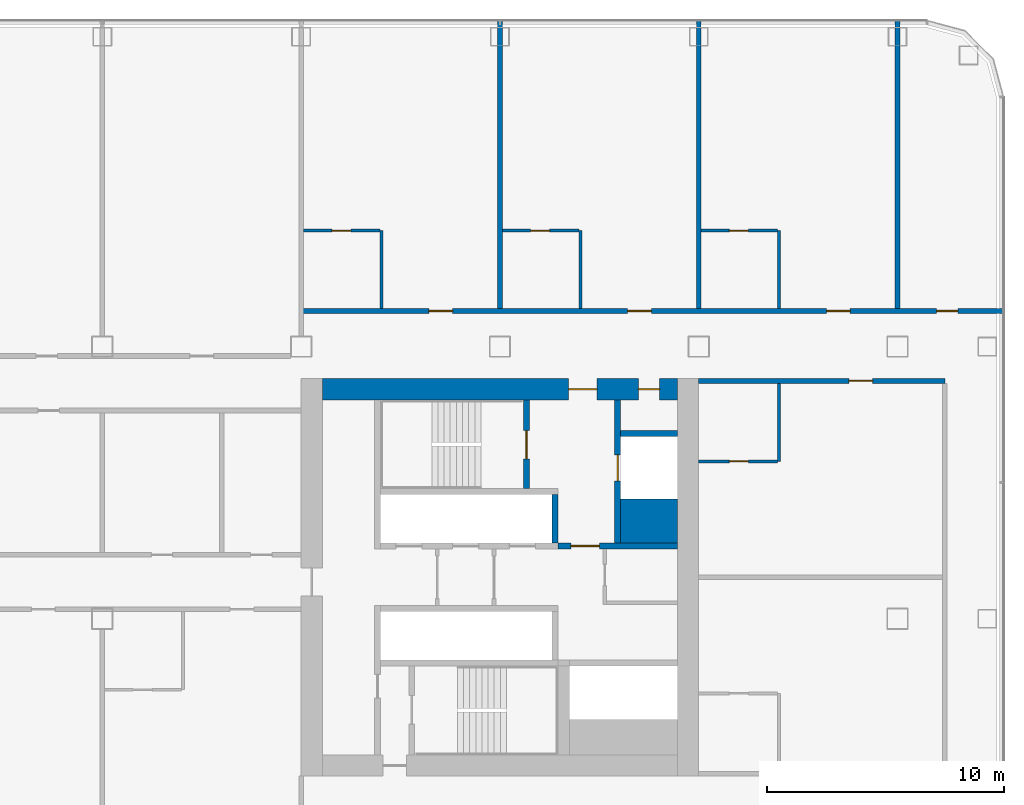
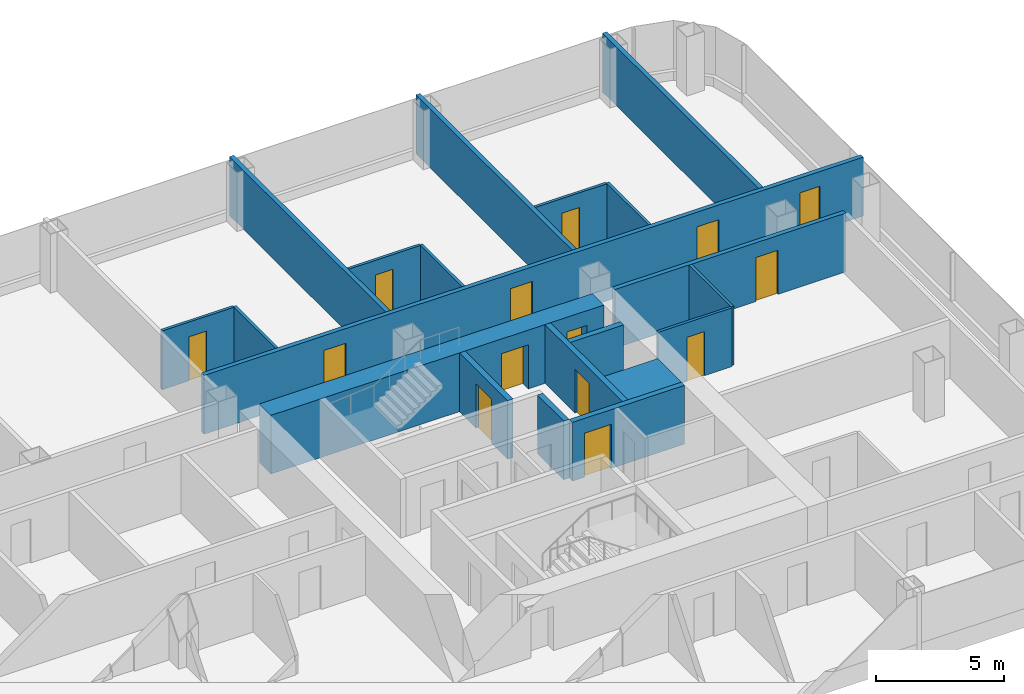
# One storey, part 20 of 29: 20 walls, 14 doors, 14 openings.
"""IFC4 building model written with IfcOpenShell, lengths in metres."""

from ifc_helpers import new_model, si_unit, direction, frame, frame_2d, origin, place, context, subcontext, project, spatial, rectangle, extrude, material, layer, layer_set, type_object, element, fill, save


model = new_model("IFC4")

# Units and contexts
model_context = context("Model", 3, precision=1e-05, world=origin(), true_north=direction((0.0, 1.0)))
body_context = subcontext(model_context, "Body", "Model", "MODEL_VIEW")
ifc_project = project(units=[si_unit("LENGTHUNIT", "METRE"), si_unit("AREAUNIT", "SQUARE_METRE"), si_unit("VOLUMEUNIT", "CUBIC_METRE"), si_unit("PLANEANGLEUNIT", "RADIAN"), si_unit("MASSUNIT", "GRAM", prefix="KILO")], contexts=[model_context])

# Site, building, storey
site_placement = place(None, origin())
site = spatial("IfcSite", under=ifc_project, at=site_placement, CompositionType="ELEMENT")
building_placement = place(site_placement, origin())
building = spatial("IfcBuilding", under=site, at=building_placement, Name="Hakoniwa Tower and Hamabe Station Hall", CompositionType="ELEMENT")
storey_placement = place(building_placement, frame((0.0, 0.0, 75.39990234375)))
storey = spatial("IfcBuildingStorey", under=building, at=storey_placement, Name="L20", CompositionType="ELEMENT", Elevation=75.39990234375)

# Wall, opening, door
ifc_material_1 = material(Name="Gypsum board partition", Category="gypsum")
ifc_layer_1 = layer(ifc_material_1, 0.125)
ifc_layer_set_1 = layer_set([ifc_layer_1], Name="Bathroom Partition 125")
wall_type_1 = type_object("IfcWallType", Name="Bathroom Partition 125", PredefinedType="PARTITIONING", material=ifc_layer_set_1)
wall_1_placement = place(storey_placement, frame((33.60009765625, 4.89990234375, 0.0), z_axis=(0.0, 0.0, 1.0), x_axis=(1.0, 0.0, 0.0)))
wall_1 = element("IfcWall", 1, at=wall_1_placement, inside=storey, type_object=wall_type_1, Name="GW-L20-015", PredefinedType="PARTITIONING", context=body_context, shape_type="SweptSolid", body=[
    extrude(rectangle(XDim=3.33740234375, YDim=0.125, at=frame_2d((1.668701171875, 0.0))), origin(), (0.0, 0.0, 1.0), 2.800048828125),
])
opening_1_placement = place(wall_1_placement, frame((1.300048828125, 0.0, 0.0)))
opening_1 = element("IfcOpeningElement", 2, at=opening_1_placement, cuts=wall_1, Name="Opening GD-G2A0-30", PredefinedType="OPENING", context=body_context, shape_type="SweptSolid", body=[
    extrude(rectangle(XDim=0.800048828125, YDim=2.10009765625, at=frame_2d((0.39990234375, 1.050048828125))), frame((0.0, 0.072509765625, 0.0), z_axis=(0.0, -1.0, 0.0), x_axis=(1.0, 0.0, 0.0)), (0.0, 0.0, 1.0), 0.14501953125),
])
ifc_material_2 = material(Name="Timber door leaf", Category="wood")
door_type_1 = type_object("IfcDoorType", Name="Bathroom Door 800", OperationType="SINGLE_SWING_LEFT", PredefinedType="DOOR", material=ifc_material_2)
door_1_placement = place(opening_1_placement, origin())
door_1 = element("IfcDoor", 3, at=door_1_placement, inside=storey, type_object=door_type_1, Name="Door GD-G2A0-30", OperationType="SINGLE_SWING_LEFT", OverallHeight=2.10009765625, OverallWidth=0.800048828125, PredefinedType="DOOR", context=body_context, shape_type="SweptSolid", body=[
    extrude(rectangle(XDim=0.800048828125, YDim=2.10009765625, at=frame_2d((0.39990234375, 1.050048828125))), frame((0.0, 0.02490234375, 0.0), z_axis=(0.0, -1.0, 0.0), x_axis=(1.0, 0.0, 0.0)), (0.0, 0.0, 1.0), 0.050048828125),
])
fill(opening_1, door_1)

wall_2_placement = place(storey_placement, frame((16.89990234375, 14.64990234375, 0.0), z_axis=(0.0, 0.0, 1.0), x_axis=(1.0, 0.0, 0.0)))
wall_2 = element("IfcWall", 4, at=wall_2_placement, inside=storey, type_object=wall_type_1, Name="GW-L20-024", PredefinedType="PARTITIONING", context=body_context, shape_type="SweptSolid", body=[
    extrude(rectangle(XDim=3.237548828125, YDim=0.125, at=frame_2d((1.61865234375, 0.0))), origin(), (0.0, 0.0, 1.0), 2.800048828125),
])
opening_2_placement = place(wall_2_placement, frame((1.199951171875, 0.0, 0.0)))
opening_2 = element("IfcOpeningElement", 5, at=opening_2_placement, cuts=wall_2, Name="Opening GD-G2A0-55", PredefinedType="OPENING", context=body_context, shape_type="SweptSolid", body=[
    extrude(rectangle(XDim=0.800048828125, YDim=2.10009765625, at=frame_2d((0.39990234375, 1.050048828125))), frame((0.0, 0.072509765625, 0.0), z_axis=(0.0, -1.0, 0.0), x_axis=(1.0, 0.0, 0.0)), (0.0, 0.0, 1.0), 0.14501953125),
])
door_2_placement = place(opening_2_placement, origin())
door_2 = element("IfcDoor", 6, at=door_2_placement, inside=storey, type_object=door_type_1, Name="Door GD-G2A0-55", OperationType="SINGLE_SWING_RIGHT", OverallHeight=2.10009765625, OverallWidth=0.800048828125, PredefinedType="DOOR", context=body_context, shape_type="SweptSolid", body=[
    extrude(rectangle(XDim=0.800048828125, YDim=2.10009765625, at=frame_2d((0.39990234375, 1.050048828125))), frame((0.0, 0.02490234375, 0.0), z_axis=(0.0, -1.0, 0.0), x_axis=(1.0, 0.0, 0.0)), (0.0, 0.0, 1.0), 0.050048828125),
])
fill(opening_2, door_2)

wall_3_placement = place(storey_placement, frame((25.300048828125, 14.64990234375, 0.0), z_axis=(0.0, 0.0, 1.0), x_axis=(1.0, 0.0, 0.0)))
wall_3 = element("IfcWall", 7, at=wall_3_placement, inside=storey, type_object=wall_type_1, Name="GW-L20-025", PredefinedType="PARTITIONING", context=body_context, shape_type="SweptSolid", body=[
    extrude(rectangle(XDim=3.237548828125, YDim=0.125, at=frame_2d((1.61865234375, 0.0))), origin(), (0.0, 0.0, 1.0), 2.800048828125),
])
opening_3_placement = place(wall_3_placement, frame((1.199951171875, 0.0, 0.0)))
opening_3 = element("IfcOpeningElement", 8, at=opening_3_placement, cuts=wall_3, Name="Opening GD-G2A0-56", PredefinedType="OPENING", context=body_context, shape_type="SweptSolid", body=[
    extrude(rectangle(XDim=0.800048828125, YDim=2.10009765625, at=frame_2d((0.39990234375, 1.050048828125))), frame((0.0, 0.072509765625, 0.0), z_axis=(0.0, -1.0, 0.0), x_axis=(1.0, 0.0, 0.0)), (0.0, 0.0, 1.0), 0.14501953125),
])
door_3_placement = place(opening_3_placement, origin())
door_3 = element("IfcDoor", 9, at=door_3_placement, inside=storey, type_object=door_type_1, Name="Door GD-G2A0-56", OperationType="SINGLE_SWING_LEFT", OverallHeight=2.10009765625, OverallWidth=0.800048828125, PredefinedType="DOOR", context=body_context, shape_type="SweptSolid", body=[
    extrude(rectangle(XDim=0.800048828125, YDim=2.10009765625, at=frame_2d((0.39990234375, 1.050048828125))), frame((0.0, 0.02490234375, 0.0), z_axis=(0.0, -1.0, 0.0), x_axis=(1.0, 0.0, 0.0)), (0.0, 0.0, 1.0), 0.050048828125),
])
fill(opening_3, door_3)

wall_4_placement = place(storey_placement, frame((33.699951171875, 14.64990234375, 0.0), z_axis=(0.0, 0.0, 1.0), x_axis=(1.0, 0.0, 0.0)))
wall_4 = element("IfcWall", 10, at=wall_4_placement, inside=storey, type_object=wall_type_1, Name="GW-L20-026", PredefinedType="PARTITIONING", context=body_context, shape_type="SweptSolid", body=[
    extrude(rectangle(XDim=3.237548828125, YDim=0.125, at=frame_2d((1.61865234375, 0.0))), origin(), (0.0, 0.0, 1.0), 2.800048828125),
])
opening_4_placement = place(wall_4_placement, frame((1.199951171875, 0.0, 0.0)))
opening_4 = element("IfcOpeningElement", 11, at=opening_4_placement, cuts=wall_4, Name="Opening GD-G2A0-57", PredefinedType="OPENING", context=body_context, shape_type="SweptSolid", body=[
    extrude(rectangle(XDim=0.800048828125, YDim=2.10009765625, at=frame_2d((0.39990234375, 1.050048828125))), frame((0.0, 0.072509765625, 0.0), z_axis=(0.0, -1.0, 0.0), x_axis=(1.0, 0.0, 0.0)), (0.0, 0.0, 1.0), 0.14501953125),
])
door_4_placement = place(opening_4_placement, origin())
door_4 = element("IfcDoor", 12, at=door_4_placement, inside=storey, type_object=door_type_1, Name="Door GD-G2A0-57", OperationType="SINGLE_SWING_RIGHT", OverallHeight=2.10009765625, OverallWidth=0.800048828125, PredefinedType="DOOR", context=body_context, shape_type="SweptSolid", body=[
    extrude(rectangle(XDim=0.800048828125, YDim=2.10009765625, at=frame_2d((0.39990234375, 1.050048828125))), frame((0.0, 0.02490234375, 0.0), z_axis=(0.0, -1.0, 0.0), x_axis=(1.0, 0.0, 0.0)), (0.0, 0.0, 1.0), 0.050048828125),
])
fill(opening_4, door_4)

# Walls
for number, where, z_axis, x_axis, name in (
    (13, (20.199951171875, 11.35009765625, 0.0), (0.0, 0.0, 1.0), (0.0, 1.0, 0.0), "GW-L20-066"),
    (14, (28.60009765625, 11.35009765625, 0.0), (0.0, 0.0, 1.0), (0.0, 1.0, 0.0), "GW-L20-070"),
):
    element("IfcWall", number, at=place(storey_placement, frame(where, z_axis=z_axis, x_axis=x_axis)), inside=storey, type_object=wall_type_1, Name=name, PredefinedType="PARTITIONING", context=body_context, shape_type="SweptSolid", body=[
        extrude(rectangle(XDim=3.2998046875, YDim=0.125, at=frame_2d((1.64990234375, 0.0))), origin(), (0.0, 0.0, 1.0), 2.800048828125),
    ])
wall_5_placement = place(storey_placement, frame((37.0, 4.89990234375, 0.0), z_axis=(0.0, 0.0, 1.0), x_axis=(0.0, 1.0, 0.0)))
element("IfcWall", 15, at=wall_5_placement, inside=storey, type_object=wall_type_1, Name="GW-L20-074", PredefinedType="PARTITIONING", context=body_context, shape_type="SweptSolid", body=[
    extrude(rectangle(XDim=3.300048828125, YDim=0.125, at=frame_2d((1.64990234375, 0.0))), origin(), (0.0, 0.0, 1.0), 2.800048828125),
])
wall_6_placement = place(storey_placement, frame((37.0, 11.35009765625, 0.0), z_axis=(0.0, 0.0, 1.0), x_axis=(0.0, 1.0, 0.0)))
element("IfcWall", 16, at=wall_6_placement, inside=storey, type_object=wall_type_1, Name="GW-L20-075", PredefinedType="PARTITIONING", context=body_context, shape_type="SweptSolid", body=[
    extrude(rectangle(XDim=3.2998046875, YDim=0.125, at=frame_2d((1.64990234375, 0.0))), origin(), (0.0, 0.0, 1.0), 2.800048828125),
])

# Wall, openings, doors
ifc_material_3 = material(Name="Concrete C72", Category="concrete")
ifc_layer_2 = layer(ifc_material_3, 0.89990234375)
ifc_layer_set_2 = layer_set([ifc_layer_2], Name="CORE WALL 900 C72")
wall_type_2 = type_object("IfcWallType", Name="CORE WALL 900 C72", PredefinedType="SHEAR", material=ifc_layer_set_2)
wall_7_placement = place(storey_placement, frame((17.699951171875, 7.949951171875, 0.0), z_axis=(0.0, 0.0, 1.0), x_axis=(1.0, 0.0, 0.0)))
wall_7 = element("IfcWall", 17, at=wall_7_placement, inside=storey, type_object=wall_type_2, Name="Core wall NORTH east", PredefinedType="SHEAR", context=body_context, shape_type="SweptSolid", body=[
    extrude(rectangle(XDim=15.0, YDim=0.89990234375, at=frame_2d((7.5, 0.0))), origin(), (0.0, 0.0, 1.0), 2.800048828125),
])
opening_5_placement = place(wall_7_placement, frame((10.39990234375, 0.0, 0.0)))
opening_5 = element("IfcOpeningElement", 18, at=opening_5_placement, cuts=wall_7, Name="Opening CD-E-FN1-12", PredefinedType="OPENING", context=body_context, shape_type="SweptSolid", body=[
    extrude(rectangle(XDim=1.199951171875, YDim=2.10009765625, at=frame_2d((0.60009765625, 1.050048828125))), frame((0.0, 0.4599609375, 0.0), z_axis=(0.0, -1.0, 0.0), x_axis=(1.0, 0.0, 0.0)), (0.0, 0.0, 1.0), 0.919921875),
])
opening_6_placement = place(wall_7_placement, frame((13.35009765625, 0.0, 0.0)))
opening_6 = element("IfcOpeningElement", 19, at=opening_6_placement, cuts=wall_7, Name="Opening CD-E-FN2-9", PredefinedType="OPENING", context=body_context, shape_type="SweptSolid", body=[
    extrude(rectangle(XDim=0.89990234375, YDim=2.10009765625, at=frame_2d((0.449951171875, 1.050048828125))), frame((0.0, 0.4599609375, 0.0), z_axis=(0.0, -1.0, 0.0), x_axis=(1.0, 0.0, 0.0)), (0.0, 0.0, 1.0), 0.919921875),
])
ifc_material_4 = material(Name="Steel fire door", Category="steel")
door_type_2 = type_object("IfcDoorType", Name="CORE DOOR 1200 FD60", OperationType="DOUBLE_DOOR_SINGLE_SWING", PredefinedType="DOOR", material=ifc_material_4)
door_5_placement = place(opening_5_placement, origin())
door_5 = element("IfcDoor", 20, at=door_5_placement, inside=storey, type_object=door_type_2, Name="Stair vestibule door to the fire-fighting lobby", OperationType="DOUBLE_DOOR_SINGLE_SWING", OverallHeight=2.10009765625, OverallWidth=1.199951171875, PredefinedType="DOOR", context=body_context, shape_type="SweptSolid", body=[
    extrude(rectangle(XDim=1.199951171875, YDim=2.10009765625, at=frame_2d((0.60009765625, 1.050048828125))), frame((0.0, 0.02490234375, 0.0), z_axis=(0.0, -1.0, 0.0), x_axis=(1.0, 0.0, 0.0)), (0.0, 0.0, 1.0), 0.050048828125),
])
fill(opening_5, door_5)
ifc_material_5 = material(Name="Steel fire door", Category="steel")
door_type_3 = type_object("IfcDoorType", Name="CORE DOOR 900 FD30", OperationType="NOTDEFINED", PredefinedType="DOOR", material=ifc_material_5)
door_6_placement = place(opening_6_placement, origin())
door_6 = element("IfcDoor", 21, at=door_6_placement, inside=storey, type_object=door_type_3, Name="Riser access door", OperationType="SINGLE_SWING_LEFT", OverallHeight=2.10009765625, OverallWidth=0.89990234375, PredefinedType="DOOR", context=body_context, shape_type="SweptSolid", body=[
    extrude(rectangle(XDim=0.89990234375, YDim=2.10009765625, at=frame_2d((0.449951171875, 1.050048828125))), frame((0.0, 0.02490234375, 0.0), z_axis=(0.0, -1.0, 0.0), x_axis=(1.0, 0.0, 0.0)), (0.0, 0.0, 1.0), 0.050048828125),
])
fill(opening_6, door_6)

# Walls
ifc_material_6 = material(Name="Concrete C72", Category="concrete")
ifc_layer_3 = layer(ifc_material_6, 1.85009765625)
ifc_layer_set_3 = layer_set([ifc_layer_3], Name="CORE WEB WALL 1850 C72")
wall_type_3 = type_object("IfcWallType", Name="CORE WEB WALL 1850 C72", PredefinedType="SHEAR", material=ifc_layer_set_3)
wall_8_placement = place(storey_placement, frame((30.300048828125, 2.375, 0.0), z_axis=(0.0, 0.0, 1.0), x_axis=(1.0, 0.0, 0.0)))
element("IfcWall", 22, at=wall_8_placement, inside=storey, type_object=wall_type_3, Name="Core wall CA east", PredefinedType="SHEAR", context=body_context, shape_type="SweptSolid", body=[
    extrude(rectangle(XDim=2.39990234375, YDim=1.85009765625, at=frame_2d((1.199951171875, 0.0))), origin(), (0.0, 0.0, 1.0), 2.800048828125),
])
ifc_material_7 = material(Name="Concrete C72", Category="concrete")
ifc_layer_4 = layer(ifc_material_7, 0.25)
ifc_layer_set_4 = layer_set([ifc_layer_4], Name="CORE WEB WALL 250 C72")
wall_type_4 = type_object("IfcWallType", Name="CORE WEB WALL 250 C72", PredefinedType="SHEAR", material=ifc_layer_set_4)
wall_9_placement = place(storey_placement, frame((27.52490234375, 1.449951171875, 0.0), z_axis=(0.0, 0.0, 1.0), x_axis=(0.0, 1.0, 0.0)))
element("IfcWall", 23, at=wall_9_placement, inside=storey, type_object=wall_type_4, Name="Core wall NE east", PredefinedType="SHEAR", context=body_context, shape_type="SweptSolid", body=[
    extrude(rectangle(XDim=2.050048828125, YDim=0.25, at=frame_2d((1.02490234375, 0.0))), origin(), (0.0, 0.0, 1.0), 2.800048828125),
])

# Wall, opening, door
wall_10_placement = place(storey_placement, frame((26.324951171875, 3.75, 0.0), z_axis=(0.0, 0.0, 1.0), x_axis=(0.0, 1.0, 0.0)))
wall_10 = element("IfcWall", 24, at=wall_10_placement, inside=storey, type_object=wall_type_4, Name="Core wall NSE east", PredefinedType="SHEAR", context=body_context, shape_type="SweptSolid", body=[
    extrude(rectangle(XDim=3.75, YDim=0.25, at=frame_2d((1.875, 0.0))), origin(), (0.0, 0.0, 1.0), 2.800048828125),
])
opening_7_placement = place(wall_10_placement, frame((1.25, 0.0, 0.0)))
opening_7 = element("IfcOpeningElement", 25, at=opening_7_placement, cuts=wall_10, Name="Opening CD-E-SN-12", PredefinedType="OPENING", context=body_context, shape_type="SweptSolid", body=[
    extrude(rectangle(XDim=1.199951171875, YDim=2.10009765625, at=frame_2d((0.60009765625, 1.050048828125))), frame((0.0, 0.135009765625, 0.0), z_axis=(0.0, -1.0, 0.0), x_axis=(1.0, 0.0, 0.0)), (0.0, 0.0, 1.0), 0.27001953125),
])
door_7_placement = place(opening_7_placement, origin())
door_7 = element("IfcDoor", 26, at=door_7_placement, inside=storey, type_object=door_type_2, Name="Escape stair door", OperationType="DOUBLE_DOOR_SINGLE_SWING", OverallHeight=2.10009765625, OverallWidth=1.199951171875, PredefinedType="DOOR", context=body_context, shape_type="SweptSolid", body=[
    extrude(rectangle(XDim=1.199951171875, YDim=2.10009765625, at=frame_2d((0.60009765625, 1.050048828125))), frame((0.0, 0.02490234375, 0.0), z_axis=(0.0, -1.0, 0.0), x_axis=(1.0, 0.0, 0.0)), (0.0, 0.0, 1.0), 0.050048828125),
])
fill(opening_7, door_7)

wall_11_placement = place(storey_placement, frame((27.64990234375, 1.324951171875, 0.0), z_axis=(0.0, 0.0, 1.0), x_axis=(1.0, 0.0, 0.0)))
wall_11 = element("IfcWall", 27, at=wall_11_placement, inside=storey, type_object=wall_type_4, Name="Core wall ELN east", PredefinedType="SHEAR", context=body_context, shape_type="SweptSolid", body=[
    extrude(rectangle(XDim=5.050048828125, YDim=0.25, at=frame_2d((2.52490234375, 0.0))), origin(), (0.0, 0.0, 1.0), 2.800048828125),
])
opening_8_placement = place(wall_11_placement, frame((0.550048828125, 0.0, 0.0)))
opening_8 = element("IfcOpeningElement", 28, at=opening_8_placement, cuts=wall_11, Name="Opening CD-E-FL-12", PredefinedType="OPENING", context=body_context, shape_type="SweptSolid", body=[
    extrude(rectangle(XDim=1.199951171875, YDim=2.10009765625, at=frame_2d((0.60009765625, 1.050048828125))), frame((0.0, 0.135009765625, 0.0), z_axis=(0.0, -1.0, 0.0), x_axis=(1.0, 0.0, 0.0)), (0.0, 0.0, 1.0), 0.27001953125),
])
door_8_placement = place(opening_8_placement, origin())
door_8 = element("IfcDoor", 29, at=door_8_placement, inside=storey, type_object=door_type_2, Name="Stair vestibule door to the fire-fighting lobby", OperationType="DOUBLE_DOOR_SINGLE_SWING", OverallHeight=2.10009765625, OverallWidth=1.199951171875, PredefinedType="DOOR", context=body_context, shape_type="SweptSolid", body=[
    extrude(rectangle(XDim=1.199951171875, YDim=2.10009765625, at=frame_2d((0.60009765625, 1.050048828125))), frame((0.0, 0.02490234375, 0.0), z_axis=(0.0, -1.0, 0.0), x_axis=(1.0, 0.0, 0.0)), (0.0, 0.0, 1.0), 0.050048828125),
])
fill(opening_8, door_8)

wall_12_placement = place(storey_placement, frame((30.175048828125, 1.449951171875, 0.0), z_axis=(0.0, 0.0, 1.0), x_axis=(0.0, 1.0, 0.0)))
wall_12 = element("IfcWall", 30, at=wall_12_placement, inside=storey, type_object=wall_type_4, Name="Core wall FFF east", PredefinedType="SHEAR", context=body_context, shape_type="SweptSolid", body=[
    extrude(rectangle(XDim=6.050048828125, YDim=0.25, at=frame_2d((3.02490234375, 0.0))), origin(), (0.0, 0.0, 1.0), 2.800048828125),
])
opening_9_placement = place(wall_12_placement, frame((2.625, 0.0, 0.0)))
opening_9 = element("IfcOpeningElement", 31, at=opening_9_placement, cuts=wall_12, Name="Opening LD-FF2", PredefinedType="OPENING", context=body_context, shape_type="SweptSolid", body=[
    extrude(rectangle(XDim=1.10009765625, YDim=2.10009765625, at=frame_2d((0.550048828125, 1.050048828125))), frame((0.0, 0.135009765625, 0.0), z_axis=(0.0, -1.0, 0.0), x_axis=(1.0, 0.0, 0.0)), (0.0, 0.0, 1.0), 0.27001953125),
])
ifc_material_8 = material(Name="Stainless steel SUS304", Category="steel")
door_type_4 = type_object("IfcDoorType", Name="LIFT LANDING DOOR 1100 FD60", OperationType="DOUBLE_DOOR_SLIDING", PredefinedType="DOOR", material=ifc_material_8)
door_9_placement = place(opening_9_placement, origin())
door_9 = element("IfcDoor", 32, at=door_9_placement, inside=storey, type_object=door_type_4, Name="Lift landing door FF2 L20", OperationType="DOUBLE_DOOR_SLIDING", OverallHeight=2.10009765625, OverallWidth=1.10009765625, PredefinedType="DOOR", context=body_context, shape_type="SweptSolid", body=[
    extrude(rectangle(XDim=1.10009765625, YDim=2.10009765625, at=frame_2d((0.550048828125, 1.050048828125))), frame((0.0, 0.02490234375, 0.0), z_axis=(0.0, -1.0, 0.0), x_axis=(1.0, 0.0, 0.0)), (0.0, 0.0, 1.0), 0.050048828125),
])
fill(opening_9, door_9)

# Wall
wall_13_placement = place(storey_placement, frame((30.300048828125, 6.074951171875, 0.0), z_axis=(0.0, 0.0, 1.0), x_axis=(1.0, 0.0, 0.0)))
element("IfcWall", 33, at=wall_13_placement, inside=storey, type_object=wall_type_4, Name="Core wall C2 east", PredefinedType="SHEAR", context=body_context, shape_type="SweptSolid", body=[
    extrude(rectangle(XDim=2.39990234375, YDim=0.25, at=frame_2d((1.199951171875, 0.0))), origin(), (0.0, 0.0, 1.0), 2.800048828125),
])

# Wall, opening, door
ifc_material_9 = material(Name="Fire-rated gypsum board partition", Category="gypsum")
ifc_layer_5 = layer(ifc_material_9, 0.199951171875)
ifc_layer_set_5 = layer_set([ifc_layer_5], Name="Corridor Wall 200")
wall_type_5 = type_object("IfcWallType", Name="Corridor Wall 200", PredefinedType="PARTITIONING", material=ifc_layer_set_5)
wall_14_placement = place(storey_placement, frame((33.60009765625, 8.300048828125, 0.0), z_axis=(0.0, 0.0, 1.0), x_axis=(1.0, 0.0, 0.0)))
wall_14 = element("IfcWall", 34, at=wall_14_placement, inside=storey, type_object=wall_type_5, Name="GW-L20-018", PredefinedType="PARTITIONING", context=body_context, shape_type="SweptSolid", body=[
    extrude(rectangle(XDim=10.39990234375, YDim=0.199951171875, at=frame_2d((5.199951171875, 0.0))), origin(), (0.0, 0.0, 1.0), 2.800048828125),
])
opening_10_placement = place(wall_14_placement, frame((6.35009765625, 0.0, 0.0)))
opening_10 = element("IfcOpeningElement", 35, at=opening_10_placement, cuts=wall_14, Name="Opening GD-G2A0-36", PredefinedType="OPENING", context=body_context, shape_type="SweptSolid", body=[
    extrude(rectangle(XDim=1.0, YDim=2.10009765625, at=frame_2d((0.5, 1.050048828125))), frame((0.0, 0.10986328125, 0.0), z_axis=(0.0, -1.0, 0.0), x_axis=(1.0, 0.0, 0.0)), (0.0, 0.0, 1.0), 0.219970703125),
])
ifc_material_10 = material(Name="Timber door leaf", Category="wood")
door_type_5 = type_object("IfcDoorType", Name="Guest Entrance Door 1000", OperationType="SINGLE_SWING_LEFT", PredefinedType="DOOR", material=ifc_material_10)
door_10_placement = place(opening_10_placement, origin())
door_10 = element("IfcDoor", 36, at=door_10_placement, inside=storey, type_object=door_type_5, Name="Door GD-G2A0-36", OperationType="SINGLE_SWING_LEFT", OverallHeight=2.10009765625, OverallWidth=1.0, PredefinedType="DOOR", context=body_context, shape_type="SweptSolid", body=[
    extrude(rectangle(XDim=1.0, YDim=2.10009765625, at=frame_2d((0.5, 1.050048828125))), frame((0.0, 0.02490234375, 0.0), z_axis=(0.0, -1.0, 0.0), x_axis=(1.0, 0.0, 0.0)), (0.0, 0.0, 1.0), 0.050048828125),
])
fill(opening_10, door_10)

# Wall, openings, doors
wall_15_placement = place(storey_placement, frame((16.800048828125, 11.25, 0.0), z_axis=(0.0, 0.0, 1.0), x_axis=(1.0, 0.0, 0.0)))
wall_15 = element("IfcWall", 37, at=wall_15_placement, inside=storey, type_object=wall_type_5, Name="GW-L20-021", PredefinedType="PARTITIONING", context=body_context, shape_type="SweptSolid", body=[
    extrude(rectangle(XDim=29.699951171875, YDim=0.199951171875, at=frame_2d((14.85009765625, 0.0))), origin(), (0.0, 0.0, 1.0), 2.800048828125),
])
opening_11_placement = place(wall_15_placement, frame((5.39990234375, 0.0, 0.0)))
opening_11 = element("IfcOpeningElement", 38, at=opening_11_placement, cuts=wall_15, Name="Opening GD-G2A0-48", PredefinedType="OPENING", context=body_context, shape_type="SweptSolid", body=[
    extrude(rectangle(XDim=1.0, YDim=2.10009765625, at=frame_2d((0.5, 1.050048828125))), frame((0.0, 0.10986328125, 0.0), z_axis=(0.0, -1.0, 0.0), x_axis=(1.0, 0.0, 0.0)), (0.0, 0.0, 1.0), 0.219970703125),
])
opening_12_placement = place(wall_15_placement, frame((13.800048828125, 0.0, 0.0)))
opening_12 = element("IfcOpeningElement", 39, at=opening_12_placement, cuts=wall_15, Name="Opening GD-G2A0-49", PredefinedType="OPENING", context=body_context, shape_type="SweptSolid", body=[
    extrude(rectangle(XDim=1.0, YDim=2.10009765625, at=frame_2d((0.5, 1.050048828125))), frame((0.0, 0.10986328125, 0.0), z_axis=(0.0, -1.0, 0.0), x_axis=(1.0, 0.0, 0.0)), (0.0, 0.0, 1.0), 0.219970703125),
])
opening_13_placement = place(wall_15_placement, frame((22.199951171875, 0.0, 0.0)))
opening_13 = element("IfcOpeningElement", 40, at=opening_13_placement, cuts=wall_15, Name="Opening GD-G2A0-50", PredefinedType="OPENING", context=body_context, shape_type="SweptSolid", body=[
    extrude(rectangle(XDim=1.0, YDim=2.10009765625, at=frame_2d((0.5, 1.050048828125))), frame((0.0, 0.10986328125, 0.0), z_axis=(0.0, -1.0, 0.0), x_axis=(1.0, 0.0, 0.0)), (0.0, 0.0, 1.0), 0.219970703125),
])
opening_14_placement = place(wall_15_placement, frame((26.85009765625, 0.0, 0.0)))
opening_14 = element("IfcOpeningElement", 41, at=opening_14_placement, cuts=wall_15, Name="Opening GD-G2A0-51", PredefinedType="OPENING", context=body_context, shape_type="SweptSolid", body=[
    extrude(rectangle(XDim=0.89990234375, YDim=2.10009765625, at=frame_2d((0.449951171875, 1.050048828125))), frame((0.0, 0.10986328125, 0.0), z_axis=(0.0, -1.0, 0.0), x_axis=(1.0, 0.0, 0.0)), (0.0, 0.0, 1.0), 0.219970703125),
])
door_11_placement = place(opening_11_placement, origin())
door_11 = element("IfcDoor", 42, at=door_11_placement, inside=storey, type_object=door_type_5, Name="Door GD-G2A0-48", OperationType="SINGLE_SWING_LEFT", OverallHeight=2.10009765625, OverallWidth=1.0, PredefinedType="DOOR", context=body_context, shape_type="SweptSolid", body=[
    extrude(rectangle(XDim=1.0, YDim=2.10009765625, at=frame_2d((0.5, 1.050048828125))), frame((0.0, 0.02490234375, 0.0), z_axis=(0.0, -1.0, 0.0), x_axis=(1.0, 0.0, 0.0)), (0.0, 0.0, 1.0), 0.050048828125),
])
fill(opening_11, door_11)
door_12_placement = place(opening_12_placement, origin())
door_12 = element("IfcDoor", 43, at=door_12_placement, inside=storey, type_object=door_type_5, Name="Door GD-G2A0-49", OperationType="SINGLE_SWING_RIGHT", OverallHeight=2.10009765625, OverallWidth=1.0, PredefinedType="DOOR", context=body_context, shape_type="SweptSolid", body=[
    extrude(rectangle(XDim=1.0, YDim=2.10009765625, at=frame_2d((0.5, 1.050048828125))), frame((0.0, 0.02490234375, 0.0), z_axis=(0.0, -1.0, 0.0), x_axis=(1.0, 0.0, 0.0)), (0.0, 0.0, 1.0), 0.050048828125),
])
fill(opening_12, door_12)
door_13_placement = place(opening_13_placement, origin())
door_13 = element("IfcDoor", 44, at=door_13_placement, inside=storey, type_object=door_type_5, Name="Door GD-G2A0-50", OperationType="SINGLE_SWING_RIGHT", OverallHeight=2.10009765625, OverallWidth=1.0, PredefinedType="DOOR", context=body_context, shape_type="SweptSolid", body=[
    extrude(rectangle(XDim=1.0, YDim=2.10009765625, at=frame_2d((0.5, 1.050048828125))), frame((0.0, 0.02490234375, 0.0), z_axis=(0.0, -1.0, 0.0), x_axis=(1.0, 0.0, 0.0)), (0.0, 0.0, 1.0), 0.050048828125),
])
fill(opening_13, door_13)
ifc_material_11 = material(Name="Timber door leaf", Category="wood")
door_type_6 = type_object("IfcDoorType", Name="Service Door 900", OperationType="SINGLE_SWING_LEFT", PredefinedType="DOOR", material=ifc_material_11)
door_14_placement = place(opening_14_placement, origin())
door_14 = element("IfcDoor", 45, at=door_14_placement, inside=storey, type_object=door_type_6, Name="Door GD-G2A0-51", OperationType="SINGLE_SWING_RIGHT", OverallHeight=2.10009765625, OverallWidth=0.89990234375, PredefinedType="DOOR", context=body_context, shape_type="SweptSolid", body=[
    extrude(rectangle(XDim=0.89990234375, YDim=2.10009765625, at=frame_2d((0.449951171875, 1.050048828125))), frame((0.0, 0.02490234375, 0.0), z_axis=(0.0, -1.0, 0.0), x_axis=(1.0, 0.0, 0.0)), (0.0, 0.0, 1.0), 0.050048828125),
])
fill(opening_14, door_14)

# Walls
ifc_material_12 = material(Name="Fire-rated gypsum board partition", Category="gypsum")
ifc_layer_6 = layer(ifc_material_12, 0.199951171875)
ifc_layer_set_6 = layer_set([ifc_layer_6], Name="Party Wall 200")
wall_type_6 = type_object("IfcWallType", Name="Party Wall 200", PredefinedType="PARTITIONING", material=ifc_layer_set_6)
for number, where, z_axis, x_axis, name in (
    (46, (25.199951171875, 11.35009765625, 0.0), (0.0, 0.0, 1.0), (0.0, 1.0, 0.0), "GW-L20-068"),
    (47, (33.60009765625, 11.35009765625, 0.0), (0.0, 0.0, 1.0), (0.0, 1.0, 0.0), "GW-L20-072"),
    (48, (42.0, 11.35009765625, 0.0), (0.0, 0.0, 1.0), (0.0, 1.0, 0.0), "GW-L20-078"),
):
    element("IfcWall", number, at=place(storey_placement, frame(where, z_axis=z_axis, x_axis=x_axis)), inside=storey, type_object=wall_type_6, Name=name, PredefinedType="PARTITIONING", context=body_context, shape_type="SweptSolid", body=[
        extrude(rectangle(XDim=12.199951171875, YDim=0.199951171875, at=frame_2d((6.10009765625, 0.0))), origin(), (0.0, 0.0, 1.0), 2.800048828125),
    ])

save(model, "model.ifc")
